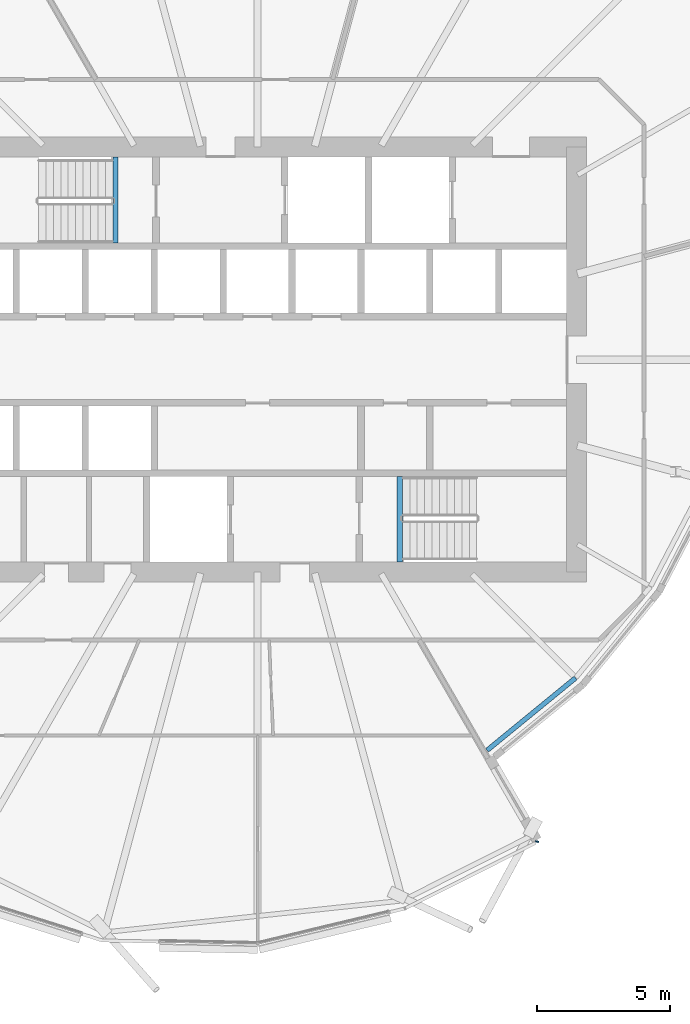
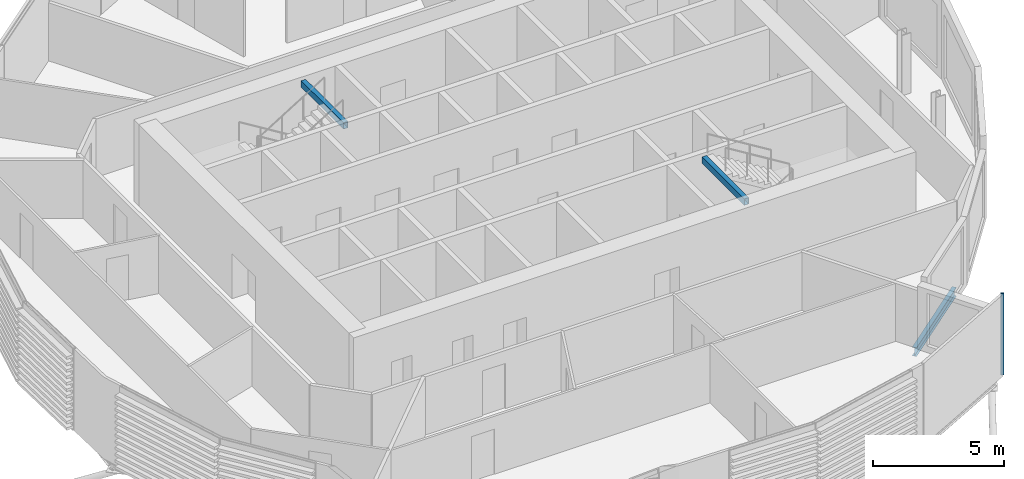
# One storey, part 15 of 39: 3 beams, 1 member, 1 element without a shape of its own.
"""IFC4 building model written with IfcOpenShell, lengths in metres."""

from ifc_helpers import new_model, si_unit, direction, frame, origin, origin_2d, place, context, subcontext, project, spatial, rectangle, hollow_rectangle, i_section, extrude, material, material_profile, profile_set, type_object, element, aggregate, save


model = new_model("IFC4")

# Units and contexts
model_context = context("Model", 3, precision=1e-05, world=origin(), true_north=direction((0.0, 1.0)))
body_context = subcontext(model_context, "Body", "Model", "MODEL_VIEW")
ifc_project = project(units=[si_unit("LENGTHUNIT", "METRE"), si_unit("AREAUNIT", "SQUARE_METRE"), si_unit("VOLUMEUNIT", "CUBIC_METRE"), si_unit("PLANEANGLEUNIT", "RADIAN"), si_unit("MASSUNIT", "GRAM", prefix="KILO")], contexts=[model_context])

# Site, building, storey
site_placement = place(None, origin())
site = spatial("IfcSite", under=ifc_project, at=site_placement, CompositionType="ELEMENT")
building_placement = place(site_placement, origin())
building = spatial("IfcBuilding", under=site, at=building_placement, Name="Rimbun Link Towers", CompositionType="ELEMENT")
storey_placement = place(building_placement, frame((0.0, 0.0, 112.0)))
storey = spatial("IfcBuildingStorey", under=building, at=storey_placement, Name="L27", CompositionType="ELEMENT", Elevation=112.0)

# Curtain wall, member
ifc_material_1 = material(Name="Aluminium 6063-T6 and low-iron glass", Category="aluminium")
curtain_wall_type = type_object("IfcCurtainWallType", Name="CW1-Z2 unitised vision wall (zone 2)", PredefinedType="NOTDEFINED", material=ifc_material_1)
curtain_wall_placement = place(storey_placement, origin())
curtain_wall = element("IfcCurtainWall", 1, at=curtain_wall_placement, inside=storey, type_object=curtain_wall_type, Name="CW1 L27 T2", PredefinedType="NOTDEFINED")
ifc_material_2 = material(Name="Aluminium 6063-T6", Category="aluminium")
ifc_material_profile_1 = material_profile(ifc_material_2, rectangle(XDim=0.1201171875, YDim=0.06005859375, at=origin_2d()), Name="MULLION 60X120")
ifc_profile_set_1 = profile_set([ifc_material_profile_1], Name="Aluminium 6063-T6")
member_type = type_object("IfcMemberType", Name="CW1 mullion 60X120", PredefinedType="MULLION", material=ifc_profile_set_1)
member_placement = place(storey_placement, frame((42.27294921875, -18.143798828125, 0.0), z_axis=(0.0, 0.0, 1.0), x_axis=(0.957987758678, -0.286809090204, 0.0)))
member = element("IfcMember", 2, at=member_placement, type_object=member_type, Name="CW1 mullion", PredefinedType="MULLION", context=body_context, shape_type="SweptSolid", body=[
    extrude(rectangle(XDim=0.1201171875, YDim=0.06005859375, at=origin_2d()), origin(), (0.0, 0.0, 1.0), 3.800048828125),
])
aggregate(curtain_wall, [member])

# Beams
ifc_material_3 = material(Name="Steel S355J2", Category="steel")
ifc_material_profile_2 = material_profile(ifc_material_3, hollow_rectangle(XDim=0.199951171875, YDim=0.300048828125, WallThickness=0.011962890625, at=origin_2d()), Name="BOX 300x200x12")
ifc_profile_set_2 = profile_set([ifc_material_profile_2], Name="Steel S355J2")
beam_type_1 = type_object("IfcBeamType", Name="Stair trimmer beam BOX 300x200x12", PredefinedType="BEAM", material=ifc_profile_set_2)
for number, where, z_axis, x_axis, name in (
    (3, (26.39990234375, 7.625, 3.489990234375), (0.0, -1.0, 0.0), (1.0, 0.0, 0.0), "L27 ST3 stair beam 1"),
    (4, (37.10009765625, -7.625, 3.489990234375), (0.0, 1.0, 0.0), (-1.0, 0.0, 0.0), "L27 ST4 stair beam 1"),
):
    element("IfcBeam", number, at=place(storey_placement, frame(where, z_axis=z_axis, x_axis=x_axis)), inside=storey, type_object=beam_type_1, Name=name, PredefinedType="BEAM", context=body_context, shape_type="SweptSolid", body=[
        extrude(hollow_rectangle(XDim=0.199951171875, YDim=0.300048828125, WallThickness=0.011962890625, at=origin_2d()), origin(), (0.0, 0.0, 1.0), 3.22509765625),
    ])
ifc_material_4 = material(Name="Steel S355J2", Category="steel")
ifc_material_profile_3 = material_profile(ifc_material_4, i_section(OverallWidth=0.177978515625, OverallDepth=0.406494140625, WebThickness=0.0078125, FlangeThickness=0.0126953125, at=origin_2d()), Name="UB 406x178x60")
ifc_profile_set_3 = profile_set([ifc_material_profile_3], Name="Steel S355J2")
beam_type_2 = type_object("IfcBeamType", Name="UB 406x178x60", PredefinedType="BEAM", material=ifc_profile_set_3)
beam_placement = place(storey_placement, frame((40.389892578125, -14.70654296875, -0.36328125), z_axis=(0.773876366634, 0.633336694946, 0.0), x_axis=(-0.633336694946, 0.773876366634, 0.0)))
element("IfcBeam", 5, at=beam_placement, inside=storey, type_object=beam_type_2, Name="Edge beam T2 L27 17 recess", PredefinedType="BEAM", context=body_context, shape_type="SweptSolid", body=[
    extrude(i_section(OverallWidth=0.177978515625, OverallDepth=0.406494140625, WebThickness=0.0078125, FlangeThickness=0.0126953125, at=origin_2d()), origin(), (0.0, 0.0, 1.0), 4.30126953125),
])

save(model, "model.ifc")
